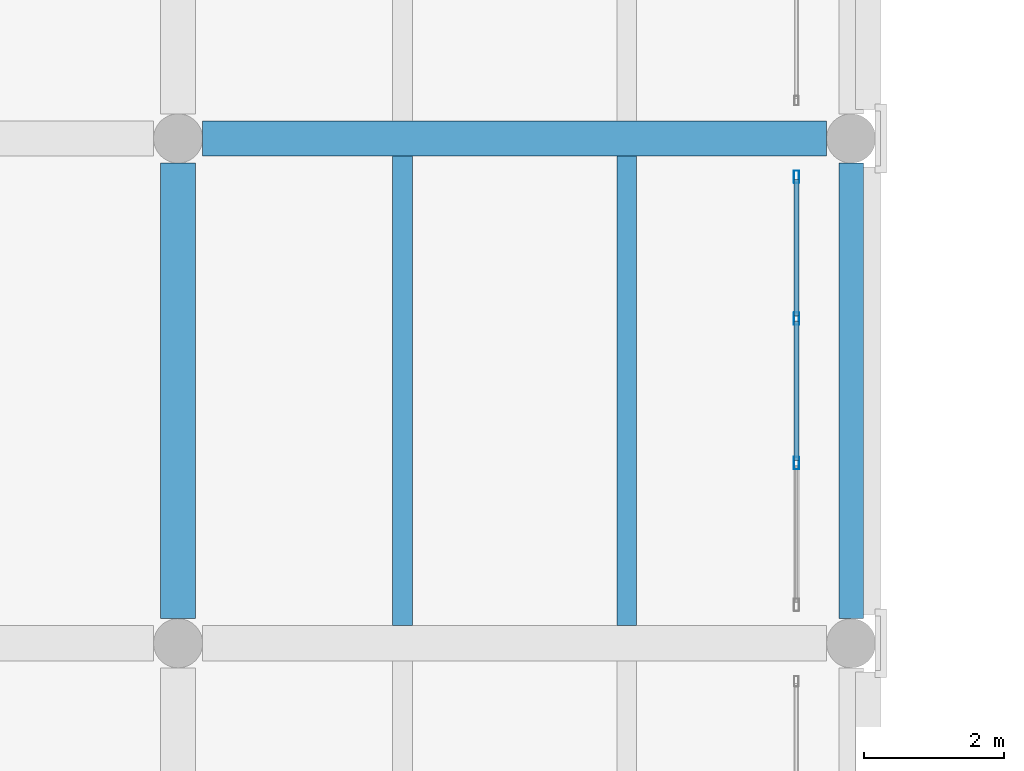
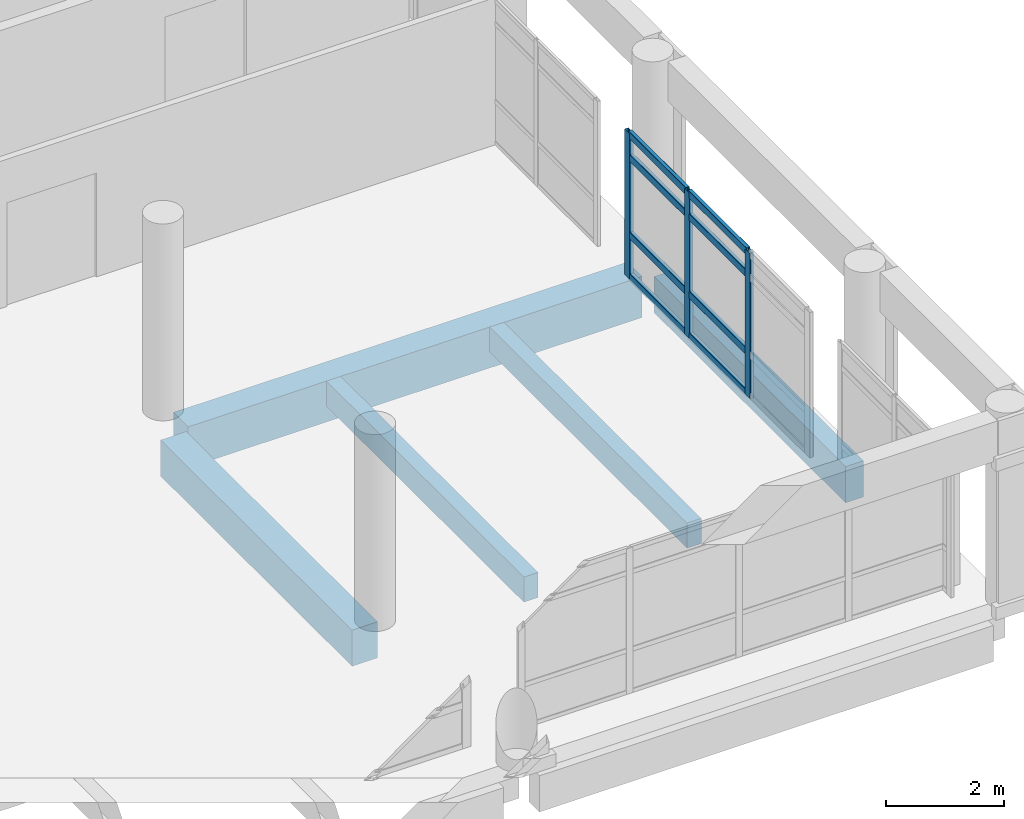
# One storey, part 25 of 180: 11 members, 5 beams, 1 element without a shape of its own.
"""IFC4 building model written with IfcOpenShell, lengths in metres."""

from ifc_helpers import new_model, si_unit, direction, frame, origin, origin_2d, place, context, subcontext, project, spatial, rectangle, hollow_rectangle, extrude, material, layer, layer_set, material_profile, profile_set, type_object, element, aggregate, save


model = new_model("IFC4")

# Units and contexts
model_context = context("Model", 3, precision=1e-05, world=origin(), true_north=direction((0.0, 1.0)))
body_context = subcontext(model_context, "Body", "Model", "MODEL_VIEW")
ifc_project = project(units=[si_unit("LENGTHUNIT", "METRE"), si_unit("AREAUNIT", "SQUARE_METRE"), si_unit("VOLUMEUNIT", "CUBIC_METRE"), si_unit("PLANEANGLEUNIT", "RADIAN"), si_unit("MASSUNIT", "GRAM", prefix="KILO")], contexts=[model_context])

# Site, building, storey
site_placement = place(None, origin())
site = spatial("IfcSite", under=ifc_project, at=site_placement, CompositionType="ELEMENT")
building_placement = place(site_placement, origin())
building = spatial("IfcBuilding", under=site, at=building_placement, Name="Asteropetra Specialist Clinic", CompositionType="ELEMENT")
storey_placement = place(building_placement, frame((0.0, 0.0, 4.419921875)))
storey = spatial("IfcBuildingStorey", under=building, at=storey_placement, Name="L01", CompositionType="ELEMENT", Elevation=4.419921875)

# Beams
ifc_material_1 = material(Name="Concrete C35/45", Category="concrete")
ifc_material_profile_1 = material_profile(ifc_material_1, rectangle(XDim=0.5, YDim=0.75, at=origin_2d()), Name="RCB 500x750")
ifc_profile_set_1 = profile_set([ifc_material_profile_1], Name="Concrete C35/45")
beam_type_1 = type_object("IfcBeamType", Name="BM-RC500x750", PredefinedType="BEAM", material=ifc_profile_set_1)
beam_1_placement = place(storey_placement, frame((48.0, 5.14990234375, -0.71484375), z_axis=(0.0, 1.0, 0.0), x_axis=(-1.0, 0.0, 0.0)))
element("IfcBeam", 1, at=beam_1_placement, inside=storey, type_object=beam_type_1, Name="Beam BBM04-0276", PredefinedType="BEAM", context=body_context, shape_type="SweptSolid", body=[
    extrude(rectangle(XDim=0.5, YDim=0.75, at=origin_2d()), origin(), (0.0, 0.0, 1.0), 6.5),
])
ifc_material_2 = material(Name="Concrete C35/45", Category="concrete")
ifc_material_profile_2 = material_profile(ifc_material_2, rectangle(XDim=0.5, YDim=0.85009765625, at=origin_2d()), Name="RCB 500x850")
ifc_profile_set_2 = profile_set([ifc_material_profile_2], Name="Concrete C35/45")
beam_type_2 = type_object("IfcBeamType", Name="BM-RC500x850", PredefinedType="BEAM", material=ifc_profile_set_2)
beam_2_placement = place(storey_placement, frame((48.35009765625, 12.0, -0.764892578125), z_axis=(1.0, 0.0, 0.0), x_axis=(0.0, 1.0, 0.0)))
element("IfcBeam", 2, at=beam_2_placement, inside=storey, type_object=beam_type_2, Name="Beam BBM03-0241", PredefinedType="BEAM", context=body_context, shape_type="SweptSolid", body=[
    extrude(rectangle(XDim=0.5, YDim=0.85009765625, at=origin_2d()), origin(), (0.0, 0.0, 1.0), 8.89990234375),
])

# Curtain wall, members
ifc_material_3 = material(Name="Aluminium and low-E glass", Category="aluminium")
ifc_layer = layer(ifc_material_3, 0.179931640625)
ifc_layer_set = layer_set([ifc_layer], Name="Aluminium and low-E glass")
curtain_wall_type = type_object("IfcCurtainWallType", Name="CW-SYS-10", PredefinedType="USERDEFINED", material=ifc_layer_set)
curtain_wall_placement = place(storey_placement, origin())
curtain_wall = element("IfcCurtainWall", 3, at=curtain_wall_placement, inside=storey, type_object=curtain_wall_type, Name="Curtain Wall CW-144", ObjectType="STICK GLAZED COLONNADE", PredefinedType="USERDEFINED")
ifc_material_4 = material(Name="Aluminium 6063-T6", Category="aluminium")
ifc_material_profile_3 = material_profile(ifc_material_4, hollow_rectangle(XDim=0.074951171875, YDim=0.179931640625, WallThickness=0.00390625, InnerFilletRadius=0.00390625, OuterFilletRadius=0.008056640625, at=origin_2d()), Name="MUL 180x75x4.0")
ifc_profile_set_3 = profile_set([ifc_material_profile_3], Name="Aluminium 6063-T6")
member_type_1 = type_object("IfcMemberType", Name="CWM-180x75", PredefinedType="MULLION", material=ifc_profile_set_3)
member_1_placement = place(storey_placement, frame((56.820068359375, 7.3701171875, 0.0), z_axis=(0.0, 0.0, 1.0), x_axis=(-1.0, 0.0, 0.0)))
member_1 = element("IfcMember", 4, at=member_1_placement, type_object=member_type_1, Name="CW-144 mullion 2", PredefinedType="MULLION", context=body_context, shape_type="SweptSolid", body=[
    extrude(hollow_rectangle(XDim=0.074951171875, YDim=0.179931640625, WallThickness=0.00390625, InnerFilletRadius=0.00390625, OuterFilletRadius=0.008056640625, at=origin_2d()), origin(), (0.0, 0.0, 1.0), 3.010009765625),
])
member_2_placement = place(storey_placement, frame((56.820068359375, 9.429931640625, 0.0), z_axis=(0.0, 0.0, 1.0), x_axis=(-1.0, 0.0, 0.0)))
member_2 = element("IfcMember", 5, at=member_2_placement, type_object=member_type_1, Name="CW-144 mullion 3", PredefinedType="MULLION", context=body_context, shape_type="SweptSolid", body=[
    extrude(hollow_rectangle(XDim=0.074951171875, YDim=0.179931640625, WallThickness=0.00390625, InnerFilletRadius=0.00390625, OuterFilletRadius=0.008056640625, at=origin_2d()), origin(), (0.0, 0.0, 1.0), 3.010009765625),
])
member_3_placement = place(storey_placement, frame((56.820068359375, 11.452392578125, 0.0), z_axis=(0.0, 0.0, 1.0), x_axis=(-1.0, 0.0, 0.0)))
member_3 = element("IfcMember", 6, at=member_3_placement, type_object=member_type_1, Name="CW-144 mullion 4", PredefinedType="MULLION", context=body_context, shape_type="SweptSolid", body=[
    extrude(hollow_rectangle(XDim=0.074951171875, YDim=0.179931640625, WallThickness=0.00390625, InnerFilletRadius=0.00390625, OuterFilletRadius=0.008056640625, at=origin_2d()), origin(), (0.0, 0.0, 1.0), 3.010009765625),
])
ifc_material_5 = material(Name="Aluminium 6063-T6", Category="aluminium")
ifc_material_profile_4 = material_profile(ifc_material_5, hollow_rectangle(XDim=0.074951171875, YDim=0.14990234375, WallThickness=0.00390625, InnerFilletRadius=0.00390625, OuterFilletRadius=0.008056640625, at=origin_2d()), Name="TRN 150x75x4.0")
ifc_profile_set_4 = profile_set([ifc_material_profile_4], Name="Aluminium 6063-T6")
member_type_2 = type_object("IfcMemberType", Name="CWT-150x75", PredefinedType="USERDEFINED", material=ifc_profile_set_4)
member_4_placement = place(storey_placement, frame((56.820068359375, 7.407470703125, 0.03759765625), z_axis=(0.0, 1.0, 0.0), x_axis=(-1.0, 0.0, 0.0)))
member_4 = element("IfcMember", 7, at=member_4_placement, type_object=member_type_2, Name="CW-144 transom 2.1", ObjectType="TRANSOM", PredefinedType="USERDEFINED", context=body_context, shape_type="SweptSolid", body=[
    extrude(hollow_rectangle(XDim=0.074951171875, YDim=0.14990234375, WallThickness=0.00390625, InnerFilletRadius=0.00390625, OuterFilletRadius=0.008056640625, at=origin_2d()), origin(), (0.0, 0.0, 1.0), 1.985107421875),
])
member_5_placement = place(storey_placement, frame((56.820068359375, 7.407470703125, 0.900146484375), z_axis=(0.0, 1.0, 0.0), x_axis=(-1.0, 0.0, 0.0)))
member_5 = element("IfcMember", 8, at=member_5_placement, type_object=member_type_2, Name="CW-144 transom 2.2", ObjectType="TRANSOM", PredefinedType="USERDEFINED", context=body_context, shape_type="SweptSolid", body=[
    extrude(hollow_rectangle(XDim=0.074951171875, YDim=0.14990234375, WallThickness=0.00390625, InnerFilletRadius=0.00390625, OuterFilletRadius=0.008056640625, at=origin_2d()), origin(), (0.0, 0.0, 1.0), 1.985107421875),
])
member_6_placement = place(storey_placement, frame((56.820068359375, 7.407470703125, 2.510009765625), z_axis=(0.0, 1.0, 0.0), x_axis=(-1.0, 0.0, 0.0)))
member_6 = element("IfcMember", 9, at=member_6_placement, type_object=member_type_2, Name="CW-144 transom 2.3", ObjectType="TRANSOM", PredefinedType="USERDEFINED", context=body_context, shape_type="SweptSolid", body=[
    extrude(hollow_rectangle(XDim=0.074951171875, YDim=0.14990234375, WallThickness=0.00390625, InnerFilletRadius=0.00390625, OuterFilletRadius=0.008056640625, at=origin_2d()), origin(), (0.0, 0.0, 1.0), 1.985107421875),
])
member_7_placement = place(storey_placement, frame((56.820068359375, 7.407470703125, 2.97265625), z_axis=(0.0, 1.0, 0.0), x_axis=(-1.0, 0.0, 0.0)))
member_7 = element("IfcMember", 10, at=member_7_placement, type_object=member_type_2, Name="CW-144 transom 2.4", ObjectType="TRANSOM", PredefinedType="USERDEFINED", context=body_context, shape_type="SweptSolid", body=[
    extrude(hollow_rectangle(XDim=0.074951171875, YDim=0.14990234375, WallThickness=0.00390625, InnerFilletRadius=0.00390625, OuterFilletRadius=0.008056640625, at=origin_2d()), origin(), (0.0, 0.0, 1.0), 1.985107421875),
])
member_8_placement = place(storey_placement, frame((56.820068359375, 9.467529296875, 0.03759765625), z_axis=(0.0, 1.0, 0.0), x_axis=(-1.0, 0.0, 0.0)))
member_8 = element("IfcMember", 11, at=member_8_placement, type_object=member_type_2, Name="CW-144 transom 3.1", ObjectType="TRANSOM", PredefinedType="USERDEFINED", context=body_context, shape_type="SweptSolid", body=[
    extrude(hollow_rectangle(XDim=0.074951171875, YDim=0.14990234375, WallThickness=0.00390625, InnerFilletRadius=0.00390625, OuterFilletRadius=0.008056640625, at=origin_2d()), origin(), (0.0, 0.0, 1.0), 1.947509765625),
])
member_9_placement = place(storey_placement, frame((56.820068359375, 9.467529296875, 0.900146484375), z_axis=(0.0, 1.0, 0.0), x_axis=(-1.0, 0.0, 0.0)))
member_9 = element("IfcMember", 12, at=member_9_placement, type_object=member_type_2, Name="CW-144 transom 3.2", ObjectType="TRANSOM", PredefinedType="USERDEFINED", context=body_context, shape_type="SweptSolid", body=[
    extrude(hollow_rectangle(XDim=0.074951171875, YDim=0.14990234375, WallThickness=0.00390625, InnerFilletRadius=0.00390625, OuterFilletRadius=0.008056640625, at=origin_2d()), origin(), (0.0, 0.0, 1.0), 1.947509765625),
])
member_10_placement = place(storey_placement, frame((56.820068359375, 9.467529296875, 2.510009765625), z_axis=(0.0, 1.0, 0.0), x_axis=(-1.0, 0.0, 0.0)))
member_10 = element("IfcMember", 13, at=member_10_placement, type_object=member_type_2, Name="CW-144 transom 3.3", ObjectType="TRANSOM", PredefinedType="USERDEFINED", context=body_context, shape_type="SweptSolid", body=[
    extrude(hollow_rectangle(XDim=0.074951171875, YDim=0.14990234375, WallThickness=0.00390625, InnerFilletRadius=0.00390625, OuterFilletRadius=0.008056640625, at=origin_2d()), origin(), (0.0, 0.0, 1.0), 1.947509765625),
])
member_11_placement = place(storey_placement, frame((56.820068359375, 9.467529296875, 2.97265625), z_axis=(0.0, 1.0, 0.0), x_axis=(-1.0, 0.0, 0.0)))
member_11 = element("IfcMember", 14, at=member_11_placement, type_object=member_type_2, Name="CW-144 transom 3.4", ObjectType="TRANSOM", PredefinedType="USERDEFINED", context=body_context, shape_type="SweptSolid", body=[
    extrude(hollow_rectangle(XDim=0.074951171875, YDim=0.14990234375, WallThickness=0.00390625, InnerFilletRadius=0.00390625, OuterFilletRadius=0.008056640625, at=origin_2d()), origin(), (0.0, 0.0, 1.0), 1.947509765625),
])
aggregate(curtain_wall, [member_1, member_2, member_3, member_4, member_5, member_6, member_7, member_8, member_9, member_10, member_11])

# Beams
ifc_material_6 = material(Name="Concrete C35/45", Category="concrete")
ifc_material_profile_5 = material_profile(ifc_material_6, rectangle(XDim=0.280029296875, YDim=0.52001953125, at=origin_2d()), Name="RCJ 280x520")
ifc_profile_set_5 = profile_set([ifc_material_profile_5], Name="Concrete C35/45")
beam_type_3 = type_object("IfcBeamType", Name="JST-RC280x520", PredefinedType="JOIST", material=ifc_profile_set_5)
for number, where, z_axis, x_axis, name in (
    (15, (51.199951171875, 5.050048828125, -0.599853515625), (0.0, 1.0, 0.0), (-1.0, 0.0, 0.0), "Joist JJST01-0284"),
    (16, (54.39990234375, 5.050048828125, -0.599853515625), (0.0, 1.0, 0.0), (-1.0, 0.0, 0.0), "Joist JJST01-0285"),
):
    element("IfcBeam", number, at=place(storey_placement, frame(where, z_axis=z_axis, x_axis=x_axis)), inside=storey, type_object=beam_type_3, Name=name, PredefinedType="JOIST", context=body_context, shape_type="SweptSolid", body=[
        extrude(rectangle(XDim=0.280029296875, YDim=0.52001953125, at=origin_2d()), origin(), (0.0, 0.0, 1.0), 6.699951171875),
    ])
ifc_material_7 = material(Name="Concrete C35/45", Category="concrete")
ifc_material_profile_6 = material_profile(ifc_material_7, rectangle(XDim=0.35009765625, YDim=0.75, at=origin_2d()), Name="RCS 350x750")
ifc_profile_set_6 = profile_set([ifc_material_profile_6], Name="Concrete C35/45")
beam_type_4 = type_object("IfcBeamType", Name="SPN-RC350x750", PredefinedType="SPANDREL", material=ifc_profile_set_6)
beam_3_placement = place(storey_placement, frame((57.60009765625, 5.14990234375, -0.71484375), z_axis=(0.0, 1.0, 0.0), x_axis=(-1.0, 0.0, 0.0)))
element("IfcBeam", 17, at=beam_3_placement, inside=storey, type_object=beam_type_4, Name="Beam BSPN01-0277", PredefinedType="SPANDREL", context=body_context, shape_type="SweptSolid", body=[
    extrude(rectangle(XDim=0.35009765625, YDim=0.75, at=origin_2d()), origin(), (0.0, 0.0, 1.0), 6.5),
])

save(model, "model.ifc")
